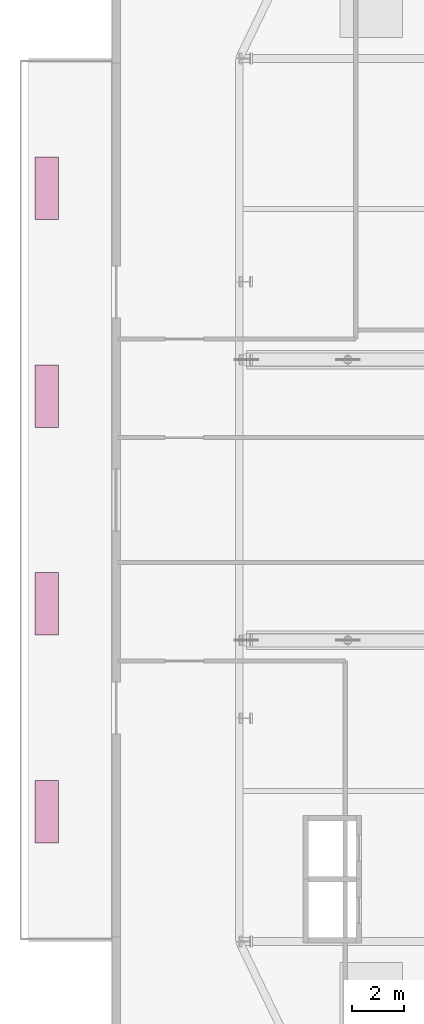
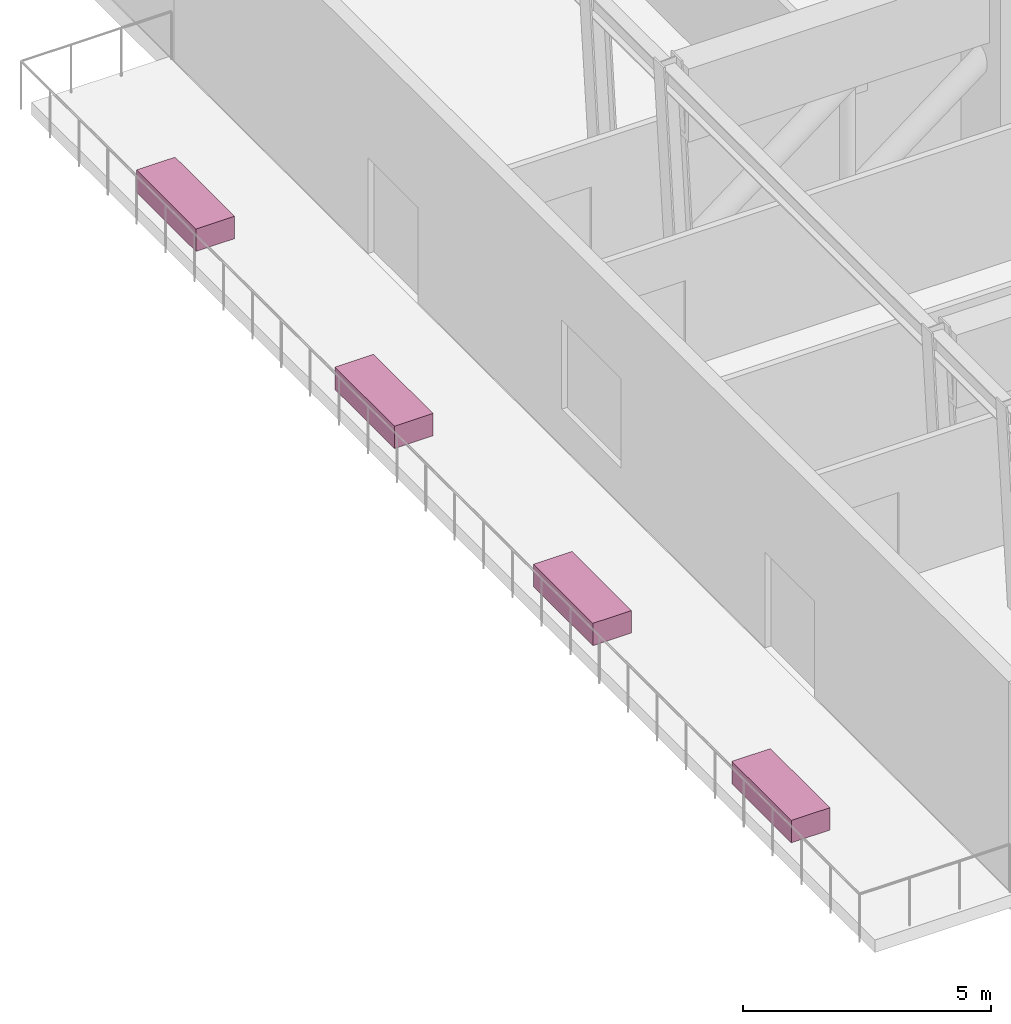
# One storey, part 29 of 29: 4 furnishings.
"""IFC4 building model written with IfcOpenShell, lengths in metres."""

from ifc_helpers import new_model, si_unit, direction, frame, origin, origin_2d, place, context, subcontext, project, spatial, rectangle, extrude, source, transform, mapped, material, type_object, element, save


model = new_model("IFC4")

# Units and contexts
model_context = context("Model", 3, precision=1e-05, world=origin(), true_north=direction((0.0, 1.0)))
body_context = subcontext(model_context, "Body", "Model", "MODEL_VIEW")
ifc_project = project(units=[si_unit("LENGTHUNIT", "METRE"), si_unit("AREAUNIT", "SQUARE_METRE"), si_unit("VOLUMEUNIT", "CUBIC_METRE"), si_unit("PLANEANGLEUNIT", "RADIAN"), si_unit("MASSUNIT", "GRAM", prefix="KILO")], contexts=[model_context])

# Site, building, storey
site_placement = place(None, origin())
site = spatial("IfcSite", under=ifc_project, at=site_placement, CompositionType="ELEMENT")
building_placement = place(site_placement, origin())
building = spatial("IfcBuilding", under=site, at=building_placement, Name="Nahalor Promenade Grand Hotel", CompositionType="ELEMENT")
storey_placement = place(building_placement, frame((0.0, 0.0, 27.0)))
storey = spatial("IfcBuildingStorey", under=building, at=storey_placement, Name="L05", CompositionType="ELEMENT", Elevation=27.0)

# Furnishings
ifc_material = material(Name="Vegetated Volcanic-Lapilli Tree Planter", Category="earth")
furnishing_element_type = type_object("IfcFurnishingElementType", Name="Planter-VerticalForest-Box", material=ifc_material)
shared_shape = source(origin(), body_context, "Body", "SweptSolid", [
    extrude(rectangle(XDim=0.89990234375, YDim=2.39990234375, at=origin_2d()), origin(), (0.0, 0.0, 1.0), 0.550048828125),
])
for number, where, z_axis, x_axis, name in (
    (1, (-32.5, -12.0, 0.0), (0.0, 0.0, 1.0), (1.0, 0.0, 0.0), "L05 Terrace Structural Tree Planter 1"),
    (2, (-32.5, -4.0, 0.0), (0.0, 0.0, 1.0), (1.0, 0.0, 0.0), "L05 Terrace Structural Tree Planter 2"),
    (3, (-32.5, 4.0, 0.0), (0.0, 0.0, 1.0), (1.0, 0.0, 0.0), "L05 Terrace Structural Tree Planter 3"),
    (4, (-32.5, 12.0, 0.0), (0.0, 0.0, 1.0), (1.0, 0.0, 0.0), "L05 Terrace Structural Tree Planter 4"),
):
    element("IfcFurnishingElement", number, at=place(storey_placement, frame(where, z_axis=z_axis, x_axis=x_axis)), inside=storey, type_object=furnishing_element_type, Name=name, ObjectType="PLANTER", context=body_context, shape_type="MappedRepresentation", body=[
        mapped(shared_shape, transform((0.0, 0.0, 0.0), scale=1.0)),
    ])

save(model, "model.ifc")
